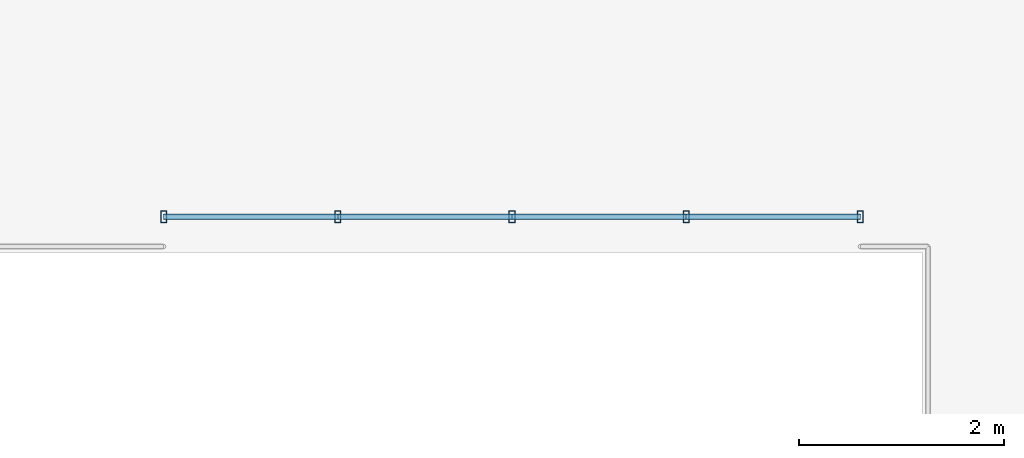
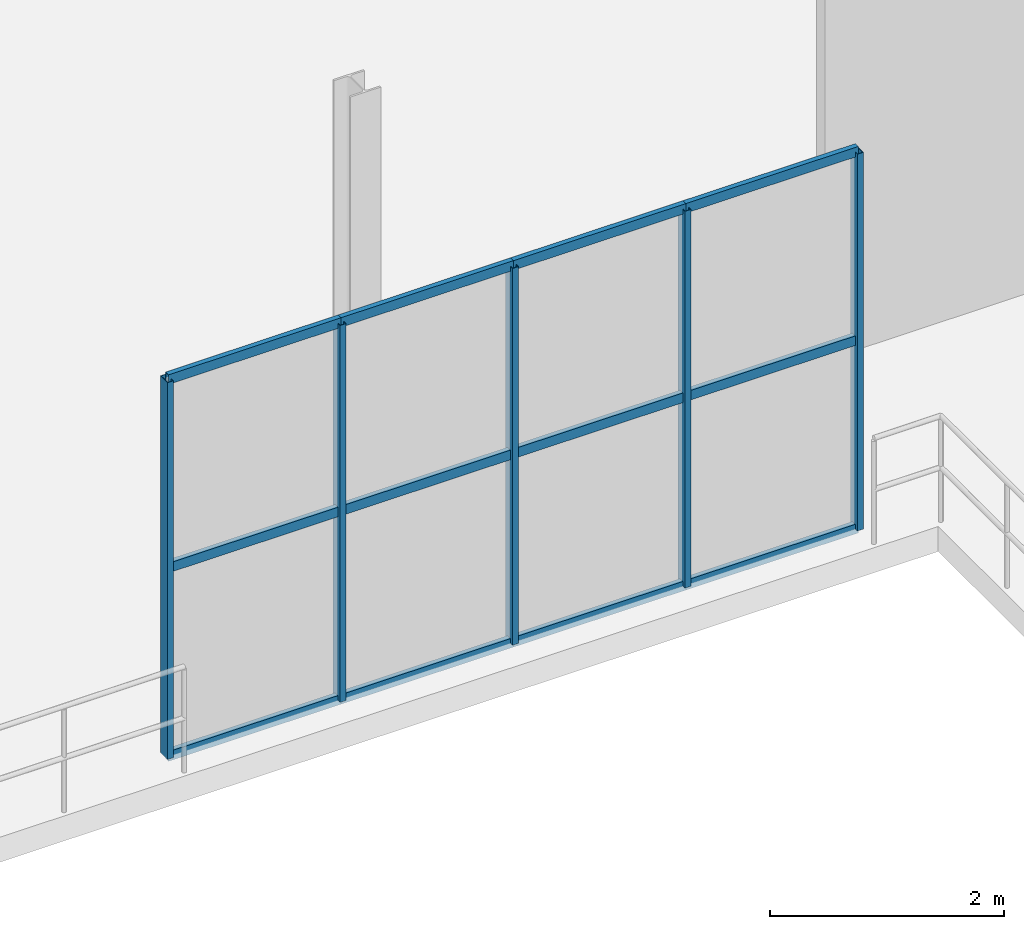
# One storey, part 18 of 67: 17 members, 1 element without a shape of its own.
"""IFC4 building model written with IfcOpenShell, lengths in metres."""

import ifcopenshell
import ifcopenshell.guid

model = None  # the IFC model being written
_history = None  # IfcOwnerHistory: only IFC2X3 demands one
_inside = {}  # id of a spatial element -> (the spatial element, [elements in it])
_under = {}  # id of a project, library or spatial element -> (it, [spatial elements below it])
_declared = {}  # id of a project -> (the project, [libraries it declares])
_typed = {}  # id of a type object -> (the type object, [elements of that type])
_made_of = {}  # id of a material, layer set ... -> (it, [elements and type objects made of it])


def new_model(schema):
    """Start an empty IFC model of exactly this schema.

    Asked for "IFC4X3", IfcOpenShell would pick the latest addendum, in which some entities
    have other attributes; the version numbers below select the first issue.
    IFC2X3 requires an IfcOwnerHistory on every rooted entity: one is made here for all.
    """
    global model, _history
    if schema == "IFC4X3":
        model = ifcopenshell.file(schema_version=(4, 3, 0, 0))
    else:
        model = ifcopenshell.file(schema=schema)
    _inside.clear()
    _under.clear()
    _declared.clear()
    _typed.clear()
    _made_of.clear()
    _history = None
    if model.schema == "IFC2X3":
        org = make("IfcOrganization", Name="unknown")
        user = make(
            "IfcPersonAndOrganization",
            ThePerson=make("IfcPerson", FamilyName="unknown"),
            TheOrganization=org,
        )
        app = make(
            "IfcApplication",
            ApplicationDeveloper=org,
            Version="unknown",
            ApplicationFullName="unknown",
            ApplicationIdentifier="unknown",
        )
        _history = make(
            "IfcOwnerHistory",
            OwningUser=user,
            OwningApplication=app,
            ChangeAction="ADDED",
            CreationDate=0,
        )
    return model


def make(cls, **values):
    """One entity of the class cls with the attributes given. An attribute that is None is left unset."""
    return model.create_entity(
        cls, **{name: value for name, value in values.items() if value is not None}
    )


def rooted(cls, **values):
    """An entity with a GlobalId (a new one), such as an element, a storey or a relation."""
    return make(cls, GlobalId=ifcopenshell.guid.new(), OwnerHistory=_history, **values)


def si_unit(unit_type, name, prefix=None):
    """IfcSIUnit, for example si_unit("LENGTHUNIT", "METRE", prefix="MILLI")."""
    return make("IfcSIUnit", UnitType=unit_type, Prefix=prefix, Name=name)


def assignment(units):
    """IfcUnitAssignment: the units of a project."""
    return None if units is None else make("IfcUnitAssignment", Units=units)


def point(xyz):
    """IfcCartesianPoint."""
    return None if xyz is None else make("IfcCartesianPoint", Coordinates=xyz)


def direction(xyz):
    """IfcDirection."""
    return None if xyz is None else make("IfcDirection", DirectionRatios=xyz)


def frame(location, z_axis=None, x_axis=None):
    """IfcAxis2Placement3D, a coordinate frame: its origin and axes. An axis left out is left unset."""
    return make(
        "IfcAxis2Placement3D",
        Location=point(location),
        Axis=direction(z_axis),
        RefDirection=direction(x_axis),
    )


def frame_2d(location, x_axis=None):
    """IfcAxis2Placement2D, a coordinate frame in the plane: its origin and x axis."""
    return make(
        "IfcAxis2Placement2D", Location=point(location), RefDirection=direction(x_axis)
    )


def origin():
    """The frame at (0, 0, 0) with its axes left unset."""
    return frame((0.0, 0.0, 0.0))


def origin_2d():
    """The frame at (0, 0) in the plane with its x axis left unset."""
    return frame_2d((0.0, 0.0))


def place(relative_to, where):
    """IfcLocalPlacement: puts the frame where relative to a parent placement (None: the world)."""
    return make(
        "IfcLocalPlacement", PlacementRelTo=relative_to, RelativePlacement=where
    )


def context(
    kind, dimensions, precision=None, world=None, true_north=None, identifier=None
):
    """IfcGeometricRepresentationContext, for example the 3D "Model" context."""
    return make(
        "IfcGeometricRepresentationContext",
        ContextIdentifier=identifier,
        ContextType=kind,
        CoordinateSpaceDimension=dimensions,
        Precision=precision,
        WorldCoordinateSystem=world,
        TrueNorth=true_north,
    )


def subcontext(parent, identifier, kind, view, scale=None):
    """IfcGeometricRepresentationSubContext, for example "Body" below "Model"."""
    return make(
        "IfcGeometricRepresentationSubContext",
        ContextIdentifier=identifier,
        ContextType=kind,
        ParentContext=parent,
        TargetScale=scale,
        TargetView=view,
    )


def project(units=None, contexts=None):
    """IfcProject with its units and contexts."""
    return rooted(
        "IfcProject",
        Name="project",
        RepresentationContexts=contexts,
        UnitsInContext=assignment(units),
    )


def spatial(cls, under=None, at=None, **own):
    """A site, building, storey or space (cls), placed at a placement, below another one or the project."""
    s = rooted(cls, ObjectPlacement=at, **own)
    if under is not None:
        _under.setdefault(under.id(), (under, []))[1].append(s)
    return s


def profile(cls, at=None, kind="AREA", **sizes):
    """A parametric profile (cls). Its sizes go by their IFC names, for example OverallWidth=200.0."""
    return make(cls, ProfileType=kind, Position=at, **sizes)


def hollow_rectangle(**sizes):
    """IfcRectangleHollowProfileDef."""
    return profile("IfcRectangleHollowProfileDef", **sizes)


def extrude(swept, where, along, depth):
    """IfcExtrudedAreaSolid: the profile swept, set in the frame where, extruded along a direction by depth."""
    return make(
        "IfcExtrudedAreaSolid",
        SweptArea=swept,
        Position=where,
        ExtrudedDirection=direction(along),
        Depth=depth,
    )


def shape(context_of_items, identifier, shape_type, items):
    """IfcShapeRepresentation: the items that make up one representation, for example the "Body"."""
    return make(
        "IfcShapeRepresentation",
        ContextOfItems=context_of_items,
        RepresentationIdentifier=identifier,
        RepresentationType=shape_type,
        Items=items,
    )


def material(Name=None, Category=None):
    """IfcMaterial."""
    return make("IfcMaterial", Name=Name, Category=Category)


def material_profile(
    of_material, cross_section, Name=None, Category=None, Priority=None
):
    """IfcMaterialProfile: a cross section and its material."""
    return make(
        "IfcMaterialProfile",
        Name=Name,
        Material=of_material,
        Profile=cross_section,
        Priority=Priority,
        Category=Category,
    )


def profile_set(profiles, Name=None, composite=None):
    """IfcMaterialProfileSet."""
    return make(
        "IfcMaterialProfileSet",
        Name=Name,
        MaterialProfiles=profiles,
        CompositeProfile=composite,
    )


def made_of(thing, what):
    """Note that an element or type object is made of a material, layer set ...; save() writes the relation."""
    if what is not None:
        _made_of.setdefault(what.id(), (what, []))[1].append(thing)
    return thing


def type_object(cls, material=None, **own):
    """A type object (cls), such as IfcWallType, which elements share."""
    return made_of(rooted(cls, **own), material)


def element(
    cls,
    number,
    at=None,
    inside=None,
    cuts=None,
    type_object=None,
    material=None,
    context=None,
    identifier="Body",
    shape_type=None,
    held_by="IfcProductDefinitionShape",
    body=None,
    shapes=None,
    **own,
):
    """One element of the class cls, such as IfcWall. Its Tag is "e" and its number.

    at: its placement. inside: the storey or other place that contains it. cuts: it is an
    opening in that element (IfcRelVoidsElement). A single representation is given by context,
    identifier, shape_type and body (its items); several are given by shapes. held_by: the class
    of the entity that holds the representations. save() writes the other relations.
    """
    e = rooted(cls, Tag="e%d" % number, ObjectPlacement=at, **own)
    if body is not None:
        shapes = [shape(context, identifier, shape_type, body)]
    if shapes is not None:
        e.Representation = make(held_by, Representations=shapes)
    if inside is not None:
        _inside.setdefault(inside.id(), (inside, []))[1].append(e)
    if cuts is not None:
        rooted(
            "IfcRelVoidsElement", RelatingBuildingElement=cuts, RelatedOpeningElement=e
        )
    if type_object is not None:
        _typed.setdefault(type_object.id(), (type_object, []))[1].append(e)
    return made_of(e, material)


def aggregate(whole, parts):
    """IfcRelAggregates: a whole, such as a stair, and the parts it consists of."""
    return rooted("IfcRelAggregates", RelatingObject=whole, RelatedObjects=parts)


def save(model, path):
    """Write the relations noted so far, then the file.

    IfcRelAggregates (storeys below a building ...), IfcRelContainedInSpatialStructure (elements
    in a storey), IfcRelDefinesByType, IfcRelAssociatesMaterial and IfcRelDeclares: one each for
    every whole, place, type object, material and project.
    """
    for whole, parts in _under.values():
        aggregate(whole, parts)
    for where, things in _inside.values():
        rooted(
            "IfcRelContainedInSpatialStructure",
            RelatedElements=things,
            RelatingStructure=where,
        )
    for kind, things in _typed.values():
        rooted("IfcRelDefinesByType", RelatedObjects=things, RelatingType=kind)
    for what, things in _made_of.values():
        rooted("IfcRelAssociatesMaterial", RelatedObjects=things, RelatingMaterial=what)
    for by, libraries in _declared.values():
        rooted("IfcRelDeclares", RelatingContext=by, RelatedDefinitions=libraries)
    model.write(path)


model = new_model("IFC4")

# Units and contexts
model_context = context("Model", 3, precision=1e-05, world=origin(), true_north=direction((0.0, 1.0)))
body_context = subcontext(model_context, "Body", "Model", "MODEL_VIEW")
ifc_project = project(units=[si_unit("LENGTHUNIT", "METRE"), si_unit("AREAUNIT", "SQUARE_METRE"), si_unit("VOLUMEUNIT", "CUBIC_METRE"), si_unit("PLANEANGLEUNIT", "RADIAN"), si_unit("MASSUNIT", "GRAM", prefix="KILO")], contexts=[model_context])

# Site, building, storey
site_placement = place(None, origin())
site = spatial("IfcSite", under=ifc_project, at=site_placement, CompositionType="ELEMENT")
building_placement = place(site_placement, origin())
building = spatial("IfcBuilding", under=site, at=building_placement, Name="Sundkrona Museum", CompositionType="ELEMENT")
storey_placement = place(building_placement, frame((0.0, 0.0, 21.800048828125)))
storey = spatial("IfcBuildingStorey", under=building, at=storey_placement, Name="L04", CompositionType="ELEMENT", Elevation=21.800048828125)

# Curtain wall, members
ifc_material_1 = material(Name="Unitised Aluminium-Steel and Ceramic-Clad Curtain Walling", Category="steel")
curtain_wall_type = type_object("IfcCurtainWallType", Name="CW-IN-68x36", PredefinedType="NOTDEFINED", material=ifc_material_1)
curtain_wall_placement = place(storey_placement, origin())
curtain_wall = element("IfcCurtainWall", 1, at=curtain_wall_placement, inside=storey, type_object=curtain_wall_type, Name="L04 Curtain Wall CW-L04-093", PredefinedType="NOTDEFINED")
ifc_material_2 = material(Name="Aluminium EN AW-6060 T66", Category="aluminium")
ifc_material_profile_1 = material_profile(ifc_material_2, hollow_rectangle(XDim=0.06005859375, YDim=0.1201171875, WallThickness=0.0048828125, at=origin_2d()), Name="RHS 120x60x5.0")
ifc_profile_set_1 = profile_set([ifc_material_profile_1], Name="Aluminium EN AW-6060 T66")
member_type_1 = type_object("IfcMemberType", Name="ML-120", PredefinedType="MULLION", material=ifc_profile_set_1)
member_1_placement = place(storey_placement, frame((100.60009765625, 29.35009765625, -0.004150390625), z_axis=(0.0, 0.0, 1.0), x_axis=(1.0, 0.0, 0.0)))
member_1 = element("IfcMember", 2, at=member_1_placement, type_object=member_type_1, Name="CW-L04-093 Mullion 01", PredefinedType="MULLION", context=body_context, shape_type="SweptSolid", body=[
    extrude(hollow_rectangle(XDim=0.06005859375, YDim=0.1201171875, WallThickness=0.0048828125, at=origin_2d()), origin(), (0.0, 0.0, 1.0), 3.92822265625),
])
member_2_placement = place(storey_placement, frame((102.300048828125, 29.35009765625, -0.004150390625), z_axis=(0.0, 0.0, 1.0), x_axis=(1.0, 0.0, 0.0)))
member_2 = element("IfcMember", 3, at=member_2_placement, type_object=member_type_1, Name="CW-L04-093 Mullion 02", PredefinedType="MULLION", context=body_context, shape_type="SweptSolid", body=[
    extrude(hollow_rectangle(XDim=0.06005859375, YDim=0.1201171875, WallThickness=0.0048828125, at=origin_2d()), origin(), (0.0, 0.0, 1.0), 3.92822265625),
])
member_3_placement = place(storey_placement, frame((104.0, 29.35009765625, -0.004150390625), z_axis=(0.0, 0.0, 1.0), x_axis=(1.0, 0.0, 0.0)))
member_3 = element("IfcMember", 4, at=member_3_placement, type_object=member_type_1, Name="CW-L04-093 Mullion 03", PredefinedType="MULLION", context=body_context, shape_type="SweptSolid", body=[
    extrude(hollow_rectangle(XDim=0.06005859375, YDim=0.1201171875, WallThickness=0.0048828125, at=origin_2d()), origin(), (0.0, 0.0, 1.0), 3.92822265625),
])
member_4_placement = place(storey_placement, frame((105.699951171875, 29.35009765625, -0.004150390625), z_axis=(0.0, 0.0, 1.0), x_axis=(1.0, 0.0, 0.0)))
member_4 = element("IfcMember", 5, at=member_4_placement, type_object=member_type_1, Name="CW-L04-093 Mullion 04", PredefinedType="MULLION", context=body_context, shape_type="SweptSolid", body=[
    extrude(hollow_rectangle(XDim=0.06005859375, YDim=0.1201171875, WallThickness=0.0048828125, at=origin_2d()), origin(), (0.0, 0.0, 1.0), 3.92822265625),
])
member_5_placement = place(storey_placement, frame((107.39990234375, 29.35009765625, -0.004150390625), z_axis=(0.0, 0.0, 1.0), x_axis=(1.0, 0.0, 0.0)))
member_5 = element("IfcMember", 6, at=member_5_placement, type_object=member_type_1, Name="CW-L04-093 Mullion 05", PredefinedType="MULLION", context=body_context, shape_type="SweptSolid", body=[
    extrude(hollow_rectangle(XDim=0.06005859375, YDim=0.1201171875, WallThickness=0.0048828125, at=origin_2d()), origin(), (0.0, 0.0, 1.0), 3.92822265625),
])
ifc_material_profile_2 = material_profile(ifc_material_2, hollow_rectangle(XDim=0.050048828125, YDim=0.10009765625, WallThickness=0.0048828125, at=origin_2d()), Name="RHS 100x50x5.0")
ifc_profile_set_2 = profile_set([ifc_material_profile_2], Name="Aluminium EN AW-6060 T66")
member_type_2 = type_object("IfcMemberType", Name="TR-100", PredefinedType="USERDEFINED", material=ifc_profile_set_2)
member_6_placement = place(storey_placement, frame((100.60009765625, 29.35009765625, -0.004150390625), z_axis=(1.0, 0.0, 0.0), x_axis=(0.0, 1.0, 0.0)))
member_6 = element("IfcMember", 7, at=member_6_placement, type_object=member_type_2, Name="CW-L04-093 Transom 01", ObjectType="TRANSOM", PredefinedType="USERDEFINED", context=body_context, shape_type="SweptSolid", body=[
    extrude(hollow_rectangle(XDim=0.050048828125, YDim=0.10009765625, WallThickness=0.0048828125, at=origin_2d()), origin(), (0.0, 0.0, 1.0), 1.699951171875),
])
member_7_placement = place(storey_placement, frame((100.60009765625, 29.35009765625, 1.9599609375), z_axis=(1.0, 0.0, 0.0), x_axis=(0.0, 1.0, 0.0)))
member_7 = element("IfcMember", 8, at=member_7_placement, type_object=member_type_2, Name="CW-L04-093 Transom 02", ObjectType="TRANSOM", PredefinedType="USERDEFINED", context=body_context, shape_type="SweptSolid", body=[
    extrude(hollow_rectangle(XDim=0.050048828125, YDim=0.10009765625, WallThickness=0.0048828125, at=origin_2d()), origin(), (0.0, 0.0, 1.0), 1.699951171875),
])
member_8_placement = place(storey_placement, frame((100.60009765625, 29.35009765625, 3.924072265625), z_axis=(1.0, 0.0, 0.0), x_axis=(0.0, 1.0, 0.0)))
member_8 = element("IfcMember", 9, at=member_8_placement, type_object=member_type_2, Name="CW-L04-093 Transom 03", ObjectType="TRANSOM", PredefinedType="USERDEFINED", context=body_context, shape_type="SweptSolid", body=[
    extrude(hollow_rectangle(XDim=0.050048828125, YDim=0.10009765625, WallThickness=0.0048828125, at=origin_2d()), origin(), (0.0, 0.0, 1.0), 1.699951171875),
])
member_9_placement = place(storey_placement, frame((102.300048828125, 29.35009765625, -0.004150390625), z_axis=(1.0, 0.0, 0.0), x_axis=(0.0, 1.0, 0.0)))
member_9 = element("IfcMember", 10, at=member_9_placement, type_object=member_type_2, Name="CW-L04-093 Transom 04", ObjectType="TRANSOM", PredefinedType="USERDEFINED", context=body_context, shape_type="SweptSolid", body=[
    extrude(hollow_rectangle(XDim=0.050048828125, YDim=0.10009765625, WallThickness=0.0048828125, at=origin_2d()), origin(), (0.0, 0.0, 1.0), 1.699951171875),
])
member_10_placement = place(storey_placement, frame((102.300048828125, 29.35009765625, 1.9599609375), z_axis=(1.0, 0.0, 0.0), x_axis=(0.0, 1.0, 0.0)))
member_10 = element("IfcMember", 11, at=member_10_placement, type_object=member_type_2, Name="CW-L04-093 Transom 05", ObjectType="TRANSOM", PredefinedType="USERDEFINED", context=body_context, shape_type="SweptSolid", body=[
    extrude(hollow_rectangle(XDim=0.050048828125, YDim=0.10009765625, WallThickness=0.0048828125, at=origin_2d()), origin(), (0.0, 0.0, 1.0), 1.699951171875),
])
member_11_placement = place(storey_placement, frame((102.300048828125, 29.35009765625, 3.924072265625), z_axis=(1.0, 0.0, 0.0), x_axis=(0.0, 1.0, 0.0)))
member_11 = element("IfcMember", 12, at=member_11_placement, type_object=member_type_2, Name="CW-L04-093 Transom 06", ObjectType="TRANSOM", PredefinedType="USERDEFINED", context=body_context, shape_type="SweptSolid", body=[
    extrude(hollow_rectangle(XDim=0.050048828125, YDim=0.10009765625, WallThickness=0.0048828125, at=origin_2d()), origin(), (0.0, 0.0, 1.0), 1.699951171875),
])
member_12_placement = place(storey_placement, frame((104.0, 29.35009765625, -0.004150390625), z_axis=(1.0, 0.0, 0.0), x_axis=(0.0, 1.0, 0.0)))
member_12 = element("IfcMember", 13, at=member_12_placement, type_object=member_type_2, Name="CW-L04-093 Transom 07", ObjectType="TRANSOM", PredefinedType="USERDEFINED", context=body_context, shape_type="SweptSolid", body=[
    extrude(hollow_rectangle(XDim=0.050048828125, YDim=0.10009765625, WallThickness=0.0048828125, at=origin_2d()), origin(), (0.0, 0.0, 1.0), 1.699951171875),
])
member_13_placement = place(storey_placement, frame((104.0, 29.35009765625, 1.9599609375), z_axis=(1.0, 0.0, 0.0), x_axis=(0.0, 1.0, 0.0)))
member_13 = element("IfcMember", 14, at=member_13_placement, type_object=member_type_2, Name="CW-L04-093 Transom 08", ObjectType="TRANSOM", PredefinedType="USERDEFINED", context=body_context, shape_type="SweptSolid", body=[
    extrude(hollow_rectangle(XDim=0.050048828125, YDim=0.10009765625, WallThickness=0.0048828125, at=origin_2d()), origin(), (0.0, 0.0, 1.0), 1.699951171875),
])
member_14_placement = place(storey_placement, frame((104.0, 29.35009765625, 3.924072265625), z_axis=(1.0, 0.0, 0.0), x_axis=(0.0, 1.0, 0.0)))
member_14 = element("IfcMember", 15, at=member_14_placement, type_object=member_type_2, Name="CW-L04-093 Transom 09", ObjectType="TRANSOM", PredefinedType="USERDEFINED", context=body_context, shape_type="SweptSolid", body=[
    extrude(hollow_rectangle(XDim=0.050048828125, YDim=0.10009765625, WallThickness=0.0048828125, at=origin_2d()), origin(), (0.0, 0.0, 1.0), 1.699951171875),
])
member_15_placement = place(storey_placement, frame((105.699951171875, 29.35009765625, -0.004150390625), z_axis=(1.0, 0.0, 0.0), x_axis=(0.0, 1.0, 0.0)))
member_15 = element("IfcMember", 16, at=member_15_placement, type_object=member_type_2, Name="CW-L04-093 Transom 10", ObjectType="TRANSOM", PredefinedType="USERDEFINED", context=body_context, shape_type="SweptSolid", body=[
    extrude(hollow_rectangle(XDim=0.050048828125, YDim=0.10009765625, WallThickness=0.0048828125, at=origin_2d()), origin(), (0.0, 0.0, 1.0), 1.699951171875),
])
member_16_placement = place(storey_placement, frame((105.699951171875, 29.35009765625, 1.9599609375), z_axis=(1.0, 0.0, 0.0), x_axis=(0.0, 1.0, 0.0)))
member_16 = element("IfcMember", 17, at=member_16_placement, type_object=member_type_2, Name="CW-L04-093 Transom 11", ObjectType="TRANSOM", PredefinedType="USERDEFINED", context=body_context, shape_type="SweptSolid", body=[
    extrude(hollow_rectangle(XDim=0.050048828125, YDim=0.10009765625, WallThickness=0.0048828125, at=origin_2d()), origin(), (0.0, 0.0, 1.0), 1.699951171875),
])
member_17_placement = place(storey_placement, frame((105.699951171875, 29.35009765625, 3.924072265625), z_axis=(1.0, 0.0, 0.0), x_axis=(0.0, 1.0, 0.0)))
member_17 = element("IfcMember", 18, at=member_17_placement, type_object=member_type_2, Name="CW-L04-093 Transom 12", ObjectType="TRANSOM", PredefinedType="USERDEFINED", context=body_context, shape_type="SweptSolid", body=[
    extrude(hollow_rectangle(XDim=0.050048828125, YDim=0.10009765625, WallThickness=0.0048828125, at=origin_2d()), origin(), (0.0, 0.0, 1.0), 1.699951171875),
])
aggregate(curtain_wall, [member_1, member_2, member_3, member_4, member_5, member_6, member_7, member_8, member_9, member_10, member_11, member_12, member_13, member_14, member_15, member_16, member_17])

save(model, "model.ifc")
